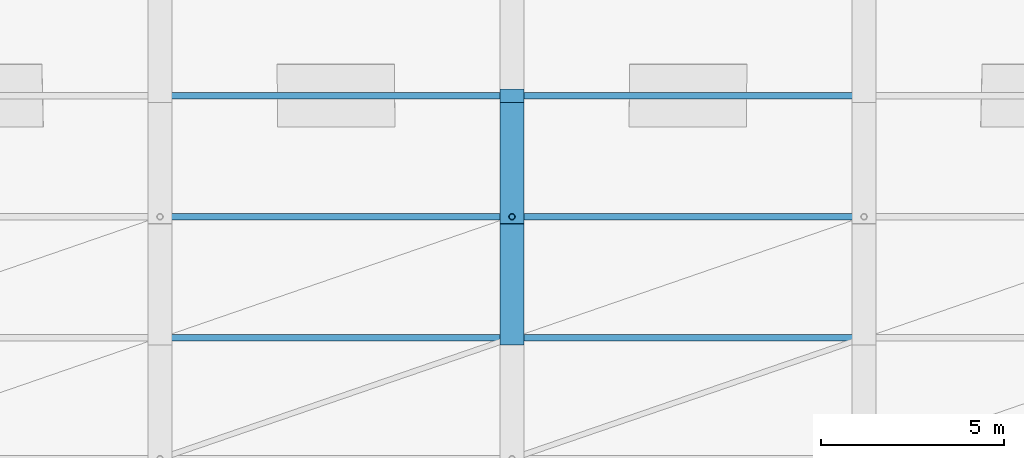
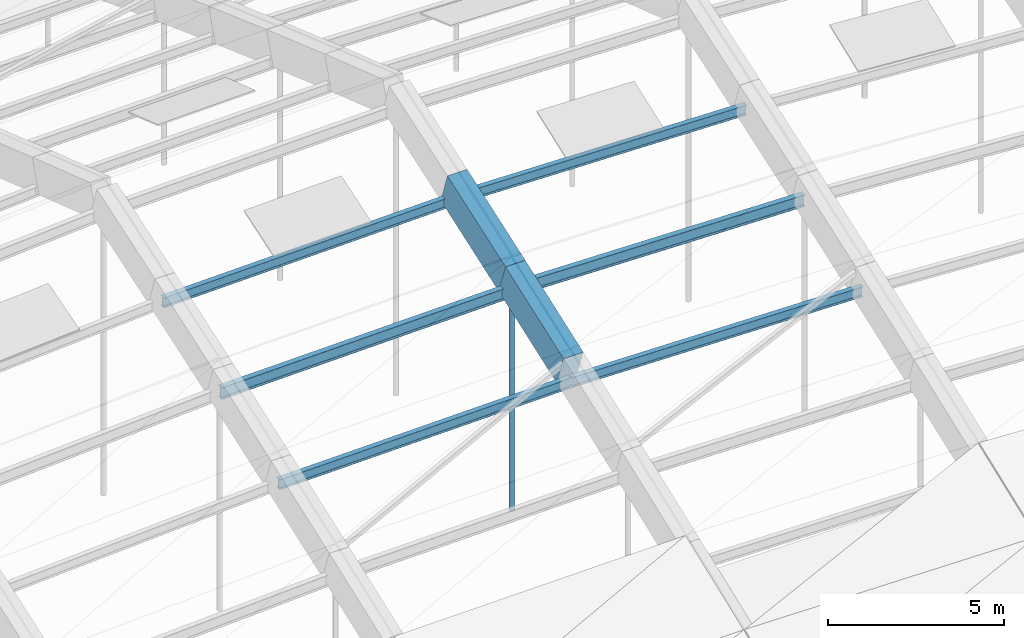
# One storey, part 14 of 43: 7 members, 2 beams.
"""IFC4 building model written with IfcOpenShell, lengths in metres."""

from ifc_helpers import new_model, si_unit, direction, frame, origin, origin_2d, place, context, subcontext, project, spatial, rectangle, hollow_circle, i_section, extrude, material, material_profile, profile_set, type_object, element, save


model = new_model("IFC4")

# Units and contexts
model_context = context("Model", 3, precision=1e-05, world=origin(), true_north=direction((0.0, 1.0)))
body_context = subcontext(model_context, "Body", "Model", "MODEL_VIEW")
ifc_project = project(units=[si_unit("LENGTHUNIT", "METRE"), si_unit("AREAUNIT", "SQUARE_METRE"), si_unit("VOLUMEUNIT", "CUBIC_METRE"), si_unit("PLANEANGLEUNIT", "RADIAN"), si_unit("MASSUNIT", "GRAM", prefix="KILO")], contexts=[model_context])

# Site, building, storey
site_placement = place(None, origin())
site = spatial("IfcSite", under=ifc_project, at=site_placement, CompositionType="ELEMENT")
building_placement = place(site_placement, origin())
building = spatial("IfcBuilding", under=site, at=building_placement, Name="Chalmorin Arch Market", CompositionType="ELEMENT")
storey_placement = place(building_placement, frame((0.0, 0.0, 18.60009765625)))
storey = spatial("IfcBuildingStorey", under=building, at=storey_placement, Name="RF", CompositionType="ELEMENT", Elevation=18.60009765625)

# Member
ifc_material_1 = material(Name="Steel A500 Grade C", Category="steel")
ifc_material_profile_1 = material_profile(ifc_material_1, hollow_circle(Radius=0.084228515625, WallThickness=0.007080078125, at=origin_2d()), Name="CHS168X7")
ifc_profile_set_1 = profile_set([ifc_material_profile_1], Name="Steel A500 Grade C")
member_type_1 = type_object("IfcMemberType", Name="ArchHangerTie-CHS168", PredefinedType="CHORD", material=ifc_profile_set_1)
member_1_placement = place(storey_placement, frame((86.39990234375, 25.800048828125, -2.4501953125), z_axis=(0.0, 0.0, 1.0), x_axis=(1.0, 0.0, 0.0)))
element("IfcMember", 1, at=member_1_placement, inside=storey, type_object=member_type_1, Name="HT-CH168-0158", PredefinedType="CHORD", context=body_context, shape_type="SweptSolid", body=[
    extrude(hollow_circle(Radius=0.084228515625, WallThickness=0.007080078125, at=origin_2d()), origin(), (0.0, 0.0, 1.0), 8.122314453125),
])

# Beams
ifc_material_2 = material(Name="Concrete C50/60", Category="concrete")
ifc_material_profile_2 = material_profile(ifc_material_2, rectangle(XDim=0.64990234375, YDim=1.14990234375, at=origin_2d()), Name="RC650X1150")
ifc_profile_set_2 = profile_set([ifc_material_profile_2], Name="Concrete C50/60")
beam_type = type_object("IfcBeamType", Name="ArchRibChord-650x1150", PredefinedType="BEAM", material=ifc_profile_set_2)
beam_1_placement = place(storey_placement, frame((86.39990234375, 22.5, 4.487060546875), z_axis=(0.0, 0.941156059224, 0.337972294997), x_axis=(-1.0, 0.0, 0.0)))
element("IfcBeam", 2, at=beam_1_placement, inside=storey, type_object=beam_type, Name="AR-01-1666", PredefinedType="BEAM", context=body_context, shape_type="SweptSolid", body=[
    extrude(rectangle(XDim=0.64990234375, YDim=1.14990234375, at=origin_2d()), origin(), (0.0, 0.0, 1.0), 3.50634765625),
])
beam_2_placement = place(storey_placement, frame((86.39990234375, 25.800048828125, 5.672119140625), z_axis=(0.0, 0.943922571755, 0.330166894966), x_axis=(-1.0, 0.0, 0.0)))
element("IfcBeam", 3, at=beam_2_placement, inside=storey, type_object=beam_type, Name="AR-01-1667", PredefinedType="BEAM", context=body_context, shape_type="SweptSolid", body=[
    extrude(rectangle(XDim=0.64990234375, YDim=1.14990234375, at=origin_2d()), origin(), (0.0, 0.0, 1.0), 3.49609375),
])

# Members
ifc_material_3 = material(Name="Steel A992 Grade 50", Category="steel")
ifc_material_profile_3 = material_profile(ifc_material_3, i_section(OverallWidth=0.1708984375, OverallDepth=0.35107421875, WebThickness=0.0068359375, FlangeThickness=0.009765625, FilletRadius=0.014892578125, at=origin_2d()), Name="W14X30")
ifc_profile_set_3 = profile_set([ifc_material_profile_3], Name="Steel A992 Grade 50")
member_type_2 = type_object("IfcMemberType", Name="RoofSteelPurlin-W14X30", PredefinedType="PURLIN", material=ifc_profile_set_3)
member_2_placement = place(storey_placement, frame((76.820068359375, 22.5, 3.81787109375), z_axis=(0.99980419354, 0.0, 0.019788243481), x_axis=(0.0, 1.0, 0.0)))
element("IfcMember", 4, at=member_2_placement, inside=storey, type_object=member_type_2, Name="PR-W14-0244", PredefinedType="PURLIN", context=body_context, shape_type="SweptSolid", body=[
    extrude(i_section(OverallWidth=0.1708984375, OverallDepth=0.35107421875, WebThickness=0.0068359375, FlangeThickness=0.009765625, FilletRadius=0.014892578125, at=origin_2d()), origin(), (0.0, 0.0, 1.0), 9.561767578125),
])
member_3_placement = place(storey_placement, frame((76.820068359375, 29.10009765625, 6.12548828125), z_axis=(0.999733022665, 0.0, 0.023105916835), x_axis=(0.0, 1.0, 0.0)))
element("IfcMember", 5, at=member_3_placement, inside=storey, type_object=member_type_2, Name="PR-W14-0246", PredefinedType="PURLIN", context=body_context, shape_type="SweptSolid", body=[
    extrude(i_section(OverallWidth=0.1708984375, OverallDepth=0.35107421875, WebThickness=0.0068359375, FlangeThickness=0.009765625, FilletRadius=0.014892578125, at=origin_2d()), origin(), (0.0, 0.0, 1.0), 9.562255859375),
])
member_4_placement = place(storey_placement, frame((86.419921875, 22.5, 4.007080078125), z_axis=(0.999804203538, 0.0, -0.019787738336), x_axis=(0.0, 1.0, 0.0)))
element("IfcMember", 6, at=member_4_placement, inside=storey, type_object=member_type_2, Name="PR-W14-0265", PredefinedType="PURLIN", context=body_context, shape_type="SweptSolid", body=[
    extrude(i_section(OverallWidth=0.1708984375, OverallDepth=0.35107421875, WebThickness=0.0068359375, FlangeThickness=0.009765625, FilletRadius=0.014892578125, at=origin_2d()), origin(), (0.0, 0.0, 1.0), 9.56201171875),
])
member_5_placement = place(storey_placement, frame((86.419921875, 29.10009765625, 6.346435546875), z_axis=(0.999733036295, 0.0, -0.023105327081), x_axis=(0.0, 1.0, 0.0)))
element("IfcMember", 7, at=member_5_placement, inside=storey, type_object=member_type_2, Name="PR-W14-0267", PredefinedType="PURLIN", context=body_context, shape_type="SweptSolid", body=[
    extrude(i_section(OverallWidth=0.1708984375, OverallDepth=0.35107421875, WebThickness=0.0068359375, FlangeThickness=0.009765625, FilletRadius=0.014892578125, at=origin_2d()), origin(), (0.0, 0.0, 1.0), 9.5625),
])
ifc_material_profile_4 = material_profile(ifc_material_3, i_section(OverallWidth=0.178955078125, OverallDepth=0.409912109375, WebThickness=0.0087890625, FlangeThickness=0.014404296875, FilletRadius=0.01806640625, at=origin_2d()), Name="W16X45")
ifc_profile_set_4 = profile_set([ifc_material_profile_4], Name="Steel A992 Grade 50")
member_type_3 = type_object("IfcMemberType", Name="RoofSteelPurlin-W16X45", PredefinedType="PURLIN", material=ifc_profile_set_4)
member_6_placement = place(storey_placement, frame((76.820068359375, 25.800048828125, 4.98681640625), z_axis=(0.999769435227, 0.0, 0.021472689303), x_axis=(0.0, 1.0, 0.0)))
element("IfcMember", 8, at=member_6_placement, inside=storey, type_object=member_type_3, Name="PR-W16-0245", PredefinedType="PURLIN", context=body_context, shape_type="SweptSolid", body=[
    extrude(i_section(OverallWidth=0.178955078125, OverallDepth=0.409912109375, WebThickness=0.0087890625, FlangeThickness=0.014404296875, FilletRadius=0.01806640625, at=origin_2d()), origin(), (0.0, 0.0, 1.0), 9.56201171875),
])
member_7_placement = place(storey_placement, frame((86.419921875, 25.800048828125, 5.192138671875), z_axis=(0.999769446999, 0.0, -0.021472141195), x_axis=(0.0, 1.0, 0.0)))
element("IfcMember", 9, at=member_7_placement, inside=storey, type_object=member_type_3, Name="PR-W16-0266", PredefinedType="PURLIN", context=body_context, shape_type="SweptSolid", body=[
    extrude(i_section(OverallWidth=0.178955078125, OverallDepth=0.409912109375, WebThickness=0.0087890625, FlangeThickness=0.014404296875, FilletRadius=0.01806640625, at=origin_2d()), origin(), (0.0, 0.0, 1.0), 9.562255859375),
])

save(model, "model.ifc")
